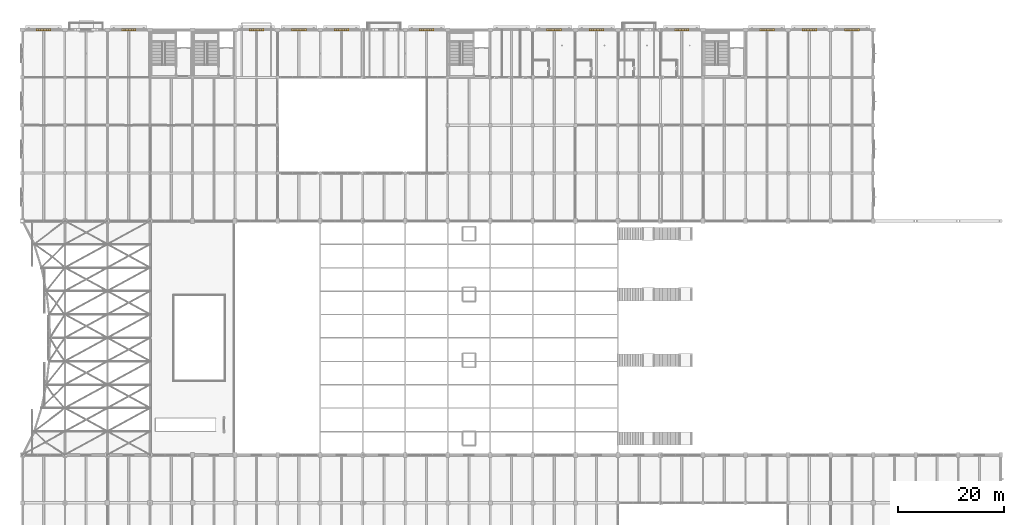
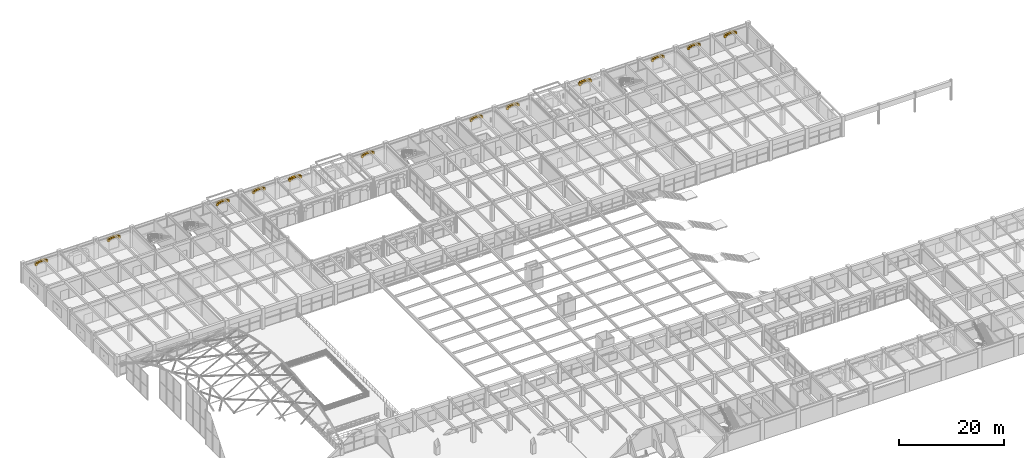
# One storey, part 144 of 144: 72 coverings.
"""IFC4 building model written with IfcOpenShell, lengths in metres."""

from ifc_helpers import new_model, si_unit, direction, frame, origin, origin_2d, place, context, subcontext, project, spatial, rectangle, extrude, material, layer, layer_set, type_object, element, save


model = new_model("IFC4")

# Units and contexts
model_context = context("Model", 3, precision=1e-05, world=origin(), true_north=direction((0.0, 1.0)))
body_context = subcontext(model_context, "Body", "Model", "MODEL_VIEW")
ifc_project = project(units=[si_unit("LENGTHUNIT", "METRE"), si_unit("AREAUNIT", "SQUARE_METRE"), si_unit("VOLUMEUNIT", "CUBIC_METRE"), si_unit("PLANEANGLEUNIT", "RADIAN"), si_unit("MASSUNIT", "GRAM", prefix="KILO")], contexts=[model_context])

# Site, building, storey
site_placement = place(None, origin())
site = spatial("IfcSite", under=ifc_project, at=site_placement, CompositionType="ELEMENT")
building_placement = place(site_placement, origin())
building = spatial("IfcBuilding", under=site, at=building_placement, Name="Varnabhumi Central Station", CompositionType="ELEMENT")
storey_placement = place(building_placement, frame((0.0, 0.0, 4.800048828125)))
storey = spatial("IfcBuildingStorey", under=building, at=storey_placement, Name="L01", CompositionType="ELEMENT", Elevation=4.800048828125)

# Coverings
ifc_material = material(Name="Terracotta clay Mission barrel tile", Category="masonry")
ifc_layer = layer(ifc_material, 0.02001953125, Name="Terracotta clay Mission barrel tile", Category="masonry")
ifc_layer_set = layer_set([ifc_layer], Name="Terracotta clay Mission barrel tile")
covering_type = type_object("IfcCoveringType", Name="COV-WALL-FAIENCE", PredefinedType="CLADDING", material=ifc_layer_set)
covering_1_placement = place(storey_placement, frame((2.83349609375, 116.0, 2.9599609375), z_axis=(0.0, 0.0, 1.0), x_axis=(1.0, 0.0, 0.0)))
element("IfcCovering", 1, at=covering_1_placement, inside=storey, type_object=covering_type, Name="North Window Arch L01-1 Stone Voussoir 1", PredefinedType="CLADDING", context=body_context, shape_type="SweptSolid", body=[
    extrude(rectangle(XDim=0.469970703125, YDim=0.47998046875, at=origin_2d()), origin(), (0.0, 0.0, 1.0), 0.554931640625),
])
covering_2_placement = place(storey_placement, frame((3.14599609375, 116.0, 3.23486328125), z_axis=(0.0, 0.0, 1.0), x_axis=(1.0, 0.0, 0.0)))
element("IfcCovering", 2, at=covering_2_placement, inside=storey, type_object=covering_type, Name="North Window Arch L01-1 Stone Voussoir 2", PredefinedType="CLADDING", context=body_context, shape_type="SweptSolid", body=[
    extrude(rectangle(XDim=0.577880859375, YDim=0.47998046875, at=origin_2d()), origin(), (0.0, 0.0, 1.0), 0.48095703125),
])
for number, where, z_axis, x_axis, name in (
    (3, (3.6875, 116.0, 3.423095703125), (0.0, 0.0, 1.0), (1.0, 0.0, 0.0), "North Window Arch L01-1 Stone Voussoir 3"),
    (4, (4.3125, 116.0, 3.423095703125), (0.0, 0.0, 1.0), (1.0, 0.0, 0.0), "North Window Arch L01-1 Stone Voussoir 4"),
):
    element("IfcCovering", number, at=place(storey_placement, frame(where, z_axis=z_axis, x_axis=x_axis)), inside=storey, type_object=covering_type, Name=name, PredefinedType="CLADDING", context=body_context, shape_type="SweptSolid", body=[
        extrude(rectangle(XDim=0.7451171875, YDim=0.47998046875, at=origin_2d()), origin(), (0.0, 0.0, 1.0), 0.3798828125),
    ])
covering_3_placement = place(storey_placement, frame((4.85400390625, 116.0, 3.23486328125), z_axis=(0.0, 0.0, 1.0), x_axis=(1.0, 0.0, 0.0)))
element("IfcCovering", 5, at=covering_3_placement, inside=storey, type_object=covering_type, Name="North Window Arch L01-1 Stone Voussoir 5", PredefinedType="CLADDING", context=body_context, shape_type="SweptSolid", body=[
    extrude(rectangle(XDim=0.577880859375, YDim=0.47998046875, at=origin_2d()), origin(), (0.0, 0.0, 1.0), 0.48095703125),
])
for number, where, z_axis, x_axis, name in (
    (6, (5.16650390625, 116.0, 2.9599609375), (0.0, 0.0, 1.0), (1.0, 0.0, 0.0), "North Window Arch L01-1 Stone Voussoir 6"),
    (7, (18.83349609375, 116.0, 2.9599609375), (0.0, 0.0, 1.0), (1.0, 0.0, 0.0), "North Window Arch L01-3 Stone Voussoir 1"),
):
    element("IfcCovering", number, at=place(storey_placement, frame(where, z_axis=z_axis, x_axis=x_axis)), inside=storey, type_object=covering_type, Name=name, PredefinedType="CLADDING", context=body_context, shape_type="SweptSolid", body=[
        extrude(rectangle(XDim=0.469970703125, YDim=0.47998046875, at=origin_2d()), origin(), (0.0, 0.0, 1.0), 0.554931640625),
    ])
covering_4_placement = place(storey_placement, frame((19.14599609375, 116.0, 3.23486328125), z_axis=(0.0, 0.0, 1.0), x_axis=(1.0, 0.0, 0.0)))
element("IfcCovering", 8, at=covering_4_placement, inside=storey, type_object=covering_type, Name="North Window Arch L01-3 Stone Voussoir 2", PredefinedType="CLADDING", context=body_context, shape_type="SweptSolid", body=[
    extrude(rectangle(XDim=0.577880859375, YDim=0.47998046875, at=origin_2d()), origin(), (0.0, 0.0, 1.0), 0.48095703125),
])
for number, where, z_axis, x_axis, name in (
    (9, (19.6875, 116.0, 3.423095703125), (0.0, 0.0, 1.0), (1.0, 0.0, 0.0), "North Window Arch L01-3 Stone Voussoir 3"),
    (10, (20.3125, 116.0, 3.423095703125), (0.0, 0.0, 1.0), (1.0, 0.0, 0.0), "North Window Arch L01-3 Stone Voussoir 4"),
):
    element("IfcCovering", number, at=place(storey_placement, frame(where, z_axis=z_axis, x_axis=x_axis)), inside=storey, type_object=covering_type, Name=name, PredefinedType="CLADDING", context=body_context, shape_type="SweptSolid", body=[
        extrude(rectangle(XDim=0.7451171875, YDim=0.47998046875, at=origin_2d()), origin(), (0.0, 0.0, 1.0), 0.3798828125),
    ])
covering_5_placement = place(storey_placement, frame((20.85400390625, 116.0, 3.23486328125), z_axis=(0.0, 0.0, 1.0), x_axis=(1.0, 0.0, 0.0)))
element("IfcCovering", 11, at=covering_5_placement, inside=storey, type_object=covering_type, Name="North Window Arch L01-3 Stone Voussoir 5", PredefinedType="CLADDING", context=body_context, shape_type="SweptSolid", body=[
    extrude(rectangle(XDim=0.577880859375, YDim=0.47998046875, at=origin_2d()), origin(), (0.0, 0.0, 1.0), 0.48095703125),
])
for number, where, z_axis, x_axis, name in (
    (12, (21.16650390625, 116.0, 2.9599609375), (0.0, 0.0, 1.0), (1.0, 0.0, 0.0), "North Window Arch L01-3 Stone Voussoir 6"),
    (13, (42.83349609375, 116.0, 2.9599609375), (0.0, 0.0, 1.0), (1.0, 0.0, 0.0), "North Window Arch L01-6 Stone Voussoir 1"),
):
    element("IfcCovering", number, at=place(storey_placement, frame(where, z_axis=z_axis, x_axis=x_axis)), inside=storey, type_object=covering_type, Name=name, PredefinedType="CLADDING", context=body_context, shape_type="SweptSolid", body=[
        extrude(rectangle(XDim=0.469970703125, YDim=0.47998046875, at=origin_2d()), origin(), (0.0, 0.0, 1.0), 0.554931640625),
    ])
covering_6_placement = place(storey_placement, frame((43.14599609375, 116.0, 3.23486328125), z_axis=(0.0, 0.0, 1.0), x_axis=(1.0, 0.0, 0.0)))
element("IfcCovering", 14, at=covering_6_placement, inside=storey, type_object=covering_type, Name="North Window Arch L01-6 Stone Voussoir 2", PredefinedType="CLADDING", context=body_context, shape_type="SweptSolid", body=[
    extrude(rectangle(XDim=0.577880859375, YDim=0.47998046875, at=origin_2d()), origin(), (0.0, 0.0, 1.0), 0.48095703125),
])
for number, where, z_axis, x_axis, name in (
    (15, (43.6875, 116.0, 3.423095703125), (0.0, 0.0, 1.0), (1.0, 0.0, 0.0), "North Window Arch L01-6 Stone Voussoir 3"),
    (16, (44.3125, 116.0, 3.423095703125), (0.0, 0.0, 1.0), (1.0, 0.0, 0.0), "North Window Arch L01-6 Stone Voussoir 4"),
):
    element("IfcCovering", number, at=place(storey_placement, frame(where, z_axis=z_axis, x_axis=x_axis)), inside=storey, type_object=covering_type, Name=name, PredefinedType="CLADDING", context=body_context, shape_type="SweptSolid", body=[
        extrude(rectangle(XDim=0.7451171875, YDim=0.47998046875, at=origin_2d()), origin(), (0.0, 0.0, 1.0), 0.3798828125),
    ])
covering_7_placement = place(storey_placement, frame((44.85400390625, 116.0, 3.23486328125), z_axis=(0.0, 0.0, 1.0), x_axis=(1.0, 0.0, 0.0)))
element("IfcCovering", 17, at=covering_7_placement, inside=storey, type_object=covering_type, Name="North Window Arch L01-6 Stone Voussoir 5", PredefinedType="CLADDING", context=body_context, shape_type="SweptSolid", body=[
    extrude(rectangle(XDim=0.577880859375, YDim=0.47998046875, at=origin_2d()), origin(), (0.0, 0.0, 1.0), 0.48095703125),
])
for number, where, z_axis, x_axis, name in (
    (18, (45.16650390625, 116.0, 2.9599609375), (0.0, 0.0, 1.0), (1.0, 0.0, 0.0), "North Window Arch L01-6 Stone Voussoir 6"),
    (19, (50.83349609375, 116.0, 2.9599609375), (0.0, 0.0, 1.0), (1.0, 0.0, 0.0), "North Window Arch L01-7 Stone Voussoir 1"),
):
    element("IfcCovering", number, at=place(storey_placement, frame(where, z_axis=z_axis, x_axis=x_axis)), inside=storey, type_object=covering_type, Name=name, PredefinedType="CLADDING", context=body_context, shape_type="SweptSolid", body=[
        extrude(rectangle(XDim=0.469970703125, YDim=0.47998046875, at=origin_2d()), origin(), (0.0, 0.0, 1.0), 0.554931640625),
    ])
covering_8_placement = place(storey_placement, frame((51.14599609375, 116.0, 3.23486328125), z_axis=(0.0, 0.0, 1.0), x_axis=(1.0, 0.0, 0.0)))
element("IfcCovering", 20, at=covering_8_placement, inside=storey, type_object=covering_type, Name="North Window Arch L01-7 Stone Voussoir 2", PredefinedType="CLADDING", context=body_context, shape_type="SweptSolid", body=[
    extrude(rectangle(XDim=0.577880859375, YDim=0.47998046875, at=origin_2d()), origin(), (0.0, 0.0, 1.0), 0.48095703125),
])
for number, where, z_axis, x_axis, name in (
    (21, (51.6875, 116.0, 3.423095703125), (0.0, 0.0, 1.0), (1.0, 0.0, 0.0), "North Window Arch L01-7 Stone Voussoir 3"),
    (22, (52.3125, 116.0, 3.423095703125), (0.0, 0.0, 1.0), (1.0, 0.0, 0.0), "North Window Arch L01-7 Stone Voussoir 4"),
):
    element("IfcCovering", number, at=place(storey_placement, frame(where, z_axis=z_axis, x_axis=x_axis)), inside=storey, type_object=covering_type, Name=name, PredefinedType="CLADDING", context=body_context, shape_type="SweptSolid", body=[
        extrude(rectangle(XDim=0.7451171875, YDim=0.47998046875, at=origin_2d()), origin(), (0.0, 0.0, 1.0), 0.3798828125),
    ])
covering_9_placement = place(storey_placement, frame((52.85400390625, 116.0, 3.23486328125), z_axis=(0.0, 0.0, 1.0), x_axis=(1.0, 0.0, 0.0)))
element("IfcCovering", 23, at=covering_9_placement, inside=storey, type_object=covering_type, Name="North Window Arch L01-7 Stone Voussoir 5", PredefinedType="CLADDING", context=body_context, shape_type="SweptSolid", body=[
    extrude(rectangle(XDim=0.577880859375, YDim=0.47998046875, at=origin_2d()), origin(), (0.0, 0.0, 1.0), 0.48095703125),
])
for number, where, z_axis, x_axis, name in (
    (24, (53.16650390625, 116.0, 2.9599609375), (0.0, 0.0, 1.0), (1.0, 0.0, 0.0), "North Window Arch L01-7 Stone Voussoir 6"),
    (25, (58.83349609375, 116.0, 2.9599609375), (0.0, 0.0, 1.0), (1.0, 0.0, 0.0), "North Window Arch L01-8 Stone Voussoir 1"),
):
    element("IfcCovering", number, at=place(storey_placement, frame(where, z_axis=z_axis, x_axis=x_axis)), inside=storey, type_object=covering_type, Name=name, PredefinedType="CLADDING", context=body_context, shape_type="SweptSolid", body=[
        extrude(rectangle(XDim=0.469970703125, YDim=0.47998046875, at=origin_2d()), origin(), (0.0, 0.0, 1.0), 0.554931640625),
    ])
covering_10_placement = place(storey_placement, frame((59.14599609375, 116.0, 3.23486328125), z_axis=(0.0, 0.0, 1.0), x_axis=(1.0, 0.0, 0.0)))
element("IfcCovering", 26, at=covering_10_placement, inside=storey, type_object=covering_type, Name="North Window Arch L01-8 Stone Voussoir 2", PredefinedType="CLADDING", context=body_context, shape_type="SweptSolid", body=[
    extrude(rectangle(XDim=0.577880859375, YDim=0.47998046875, at=origin_2d()), origin(), (0.0, 0.0, 1.0), 0.48095703125),
])
for number, where, z_axis, x_axis, name in (
    (27, (59.6875, 116.0, 3.423095703125), (0.0, 0.0, 1.0), (1.0, 0.0, 0.0), "North Window Arch L01-8 Stone Voussoir 3"),
    (28, (60.3125, 116.0, 3.423095703125), (0.0, 0.0, 1.0), (1.0, 0.0, 0.0), "North Window Arch L01-8 Stone Voussoir 4"),
):
    element("IfcCovering", number, at=place(storey_placement, frame(where, z_axis=z_axis, x_axis=x_axis)), inside=storey, type_object=covering_type, Name=name, PredefinedType="CLADDING", context=body_context, shape_type="SweptSolid", body=[
        extrude(rectangle(XDim=0.7451171875, YDim=0.47998046875, at=origin_2d()), origin(), (0.0, 0.0, 1.0), 0.3798828125),
    ])
covering_11_placement = place(storey_placement, frame((60.85400390625, 116.0, 3.23486328125), z_axis=(0.0, 0.0, 1.0), x_axis=(1.0, 0.0, 0.0)))
element("IfcCovering", 29, at=covering_11_placement, inside=storey, type_object=covering_type, Name="North Window Arch L01-8 Stone Voussoir 5", PredefinedType="CLADDING", context=body_context, shape_type="SweptSolid", body=[
    extrude(rectangle(XDim=0.577880859375, YDim=0.47998046875, at=origin_2d()), origin(), (0.0, 0.0, 1.0), 0.48095703125),
])
for number, where, z_axis, x_axis, name in (
    (30, (61.16650390625, 116.0, 2.9599609375), (0.0, 0.0, 1.0), (1.0, 0.0, 0.0), "North Window Arch L01-8 Stone Voussoir 6"),
    (31, (74.83349609375, 116.0, 2.9599609375), (0.0, 0.0, 1.0), (1.0, 0.0, 0.0), "North Window Arch L01-10 Stone Voussoir 1"),
):
    element("IfcCovering", number, at=place(storey_placement, frame(where, z_axis=z_axis, x_axis=x_axis)), inside=storey, type_object=covering_type, Name=name, PredefinedType="CLADDING", context=body_context, shape_type="SweptSolid", body=[
        extrude(rectangle(XDim=0.469970703125, YDim=0.47998046875, at=origin_2d()), origin(), (0.0, 0.0, 1.0), 0.554931640625),
    ])
covering_12_placement = place(storey_placement, frame((75.14599609375, 116.0, 3.23486328125), z_axis=(0.0, 0.0, 1.0), x_axis=(1.0, 0.0, 0.0)))
element("IfcCovering", 32, at=covering_12_placement, inside=storey, type_object=covering_type, Name="North Window Arch L01-10 Stone Voussoir 2", PredefinedType="CLADDING", context=body_context, shape_type="SweptSolid", body=[
    extrude(rectangle(XDim=0.577880859375, YDim=0.47998046875, at=origin_2d()), origin(), (0.0, 0.0, 1.0), 0.48095703125),
])
for number, where, z_axis, x_axis, name in (
    (33, (75.6875, 116.0, 3.423095703125), (0.0, 0.0, 1.0), (1.0, 0.0, 0.0), "North Window Arch L01-10 Stone Voussoir 3"),
    (34, (76.3125, 116.0, 3.423095703125), (0.0, 0.0, 1.0), (1.0, 0.0, 0.0), "North Window Arch L01-10 Stone Voussoir 4"),
):
    element("IfcCovering", number, at=place(storey_placement, frame(where, z_axis=z_axis, x_axis=x_axis)), inside=storey, type_object=covering_type, Name=name, PredefinedType="CLADDING", context=body_context, shape_type="SweptSolid", body=[
        extrude(rectangle(XDim=0.7451171875, YDim=0.47998046875, at=origin_2d()), origin(), (0.0, 0.0, 1.0), 0.3798828125),
    ])
covering_13_placement = place(storey_placement, frame((76.85400390625, 116.0, 3.23486328125), z_axis=(0.0, 0.0, 1.0), x_axis=(1.0, 0.0, 0.0)))
element("IfcCovering", 35, at=covering_13_placement, inside=storey, type_object=covering_type, Name="North Window Arch L01-10 Stone Voussoir 5", PredefinedType="CLADDING", context=body_context, shape_type="SweptSolid", body=[
    extrude(rectangle(XDim=0.577880859375, YDim=0.47998046875, at=origin_2d()), origin(), (0.0, 0.0, 1.0), 0.48095703125),
])
for number, where, z_axis, x_axis, name in (
    (36, (77.16650390625, 116.0, 2.9599609375), (0.0, 0.0, 1.0), (1.0, 0.0, 0.0), "North Window Arch L01-10 Stone Voussoir 6"),
    (37, (98.83349609375, 116.0, 2.9599609375), (0.0, 0.0, 1.0), (1.0, 0.0, 0.0), "North Window Arch L01-13 Stone Voussoir 1"),
):
    element("IfcCovering", number, at=place(storey_placement, frame(where, z_axis=z_axis, x_axis=x_axis)), inside=storey, type_object=covering_type, Name=name, PredefinedType="CLADDING", context=body_context, shape_type="SweptSolid", body=[
        extrude(rectangle(XDim=0.469970703125, YDim=0.47998046875, at=origin_2d()), origin(), (0.0, 0.0, 1.0), 0.554931640625),
    ])
covering_14_placement = place(storey_placement, frame((99.14599609375, 116.0, 3.23486328125), z_axis=(0.0, 0.0, 1.0), x_axis=(1.0, 0.0, 0.0)))
element("IfcCovering", 38, at=covering_14_placement, inside=storey, type_object=covering_type, Name="North Window Arch L01-13 Stone Voussoir 2", PredefinedType="CLADDING", context=body_context, shape_type="SweptSolid", body=[
    extrude(rectangle(XDim=0.577880859375, YDim=0.47998046875, at=origin_2d()), origin(), (0.0, 0.0, 1.0), 0.48095703125),
])
for number, where, z_axis, x_axis, name in (
    (39, (99.6875, 116.0, 3.423095703125), (0.0, 0.0, 1.0), (1.0, 0.0, 0.0), "North Window Arch L01-13 Stone Voussoir 3"),
    (40, (100.3125, 116.0, 3.423095703125), (0.0, 0.0, 1.0), (1.0, 0.0, 0.0), "North Window Arch L01-13 Stone Voussoir 4"),
):
    element("IfcCovering", number, at=place(storey_placement, frame(where, z_axis=z_axis, x_axis=x_axis)), inside=storey, type_object=covering_type, Name=name, PredefinedType="CLADDING", context=body_context, shape_type="SweptSolid", body=[
        extrude(rectangle(XDim=0.7451171875, YDim=0.47998046875, at=origin_2d()), origin(), (0.0, 0.0, 1.0), 0.3798828125),
    ])
covering_15_placement = place(storey_placement, frame((100.85400390625, 116.0, 3.23486328125), z_axis=(0.0, 0.0, 1.0), x_axis=(1.0, 0.0, 0.0)))
element("IfcCovering", 41, at=covering_15_placement, inside=storey, type_object=covering_type, Name="North Window Arch L01-13 Stone Voussoir 5", PredefinedType="CLADDING", context=body_context, shape_type="SweptSolid", body=[
    extrude(rectangle(XDim=0.577880859375, YDim=0.47998046875, at=origin_2d()), origin(), (0.0, 0.0, 1.0), 0.48095703125),
])
for number, where, z_axis, x_axis, name in (
    (42, (101.16650390625, 116.0, 2.9599609375), (0.0, 0.0, 1.0), (1.0, 0.0, 0.0), "North Window Arch L01-13 Stone Voussoir 6"),
    (43, (106.83349609375, 116.0, 2.9599609375), (0.0, 0.0, 1.0), (1.0, 0.0, 0.0), "North Window Arch L01-14 Stone Voussoir 1"),
):
    element("IfcCovering", number, at=place(storey_placement, frame(where, z_axis=z_axis, x_axis=x_axis)), inside=storey, type_object=covering_type, Name=name, PredefinedType="CLADDING", context=body_context, shape_type="SweptSolid", body=[
        extrude(rectangle(XDim=0.469970703125, YDim=0.47998046875, at=origin_2d()), origin(), (0.0, 0.0, 1.0), 0.554931640625),
    ])
covering_16_placement = place(storey_placement, frame((107.14599609375, 116.0, 3.23486328125), z_axis=(0.0, 0.0, 1.0), x_axis=(1.0, 0.0, 0.0)))
element("IfcCovering", 44, at=covering_16_placement, inside=storey, type_object=covering_type, Name="North Window Arch L01-14 Stone Voussoir 2", PredefinedType="CLADDING", context=body_context, shape_type="SweptSolid", body=[
    extrude(rectangle(XDim=0.577880859375, YDim=0.47998046875, at=origin_2d()), origin(), (0.0, 0.0, 1.0), 0.48095703125),
])
for number, where, z_axis, x_axis, name in (
    (45, (107.6875, 116.0, 3.423095703125), (0.0, 0.0, 1.0), (1.0, 0.0, 0.0), "North Window Arch L01-14 Stone Voussoir 3"),
    (46, (108.3125, 116.0, 3.423095703125), (0.0, 0.0, 1.0), (1.0, 0.0, 0.0), "North Window Arch L01-14 Stone Voussoir 4"),
):
    element("IfcCovering", number, at=place(storey_placement, frame(where, z_axis=z_axis, x_axis=x_axis)), inside=storey, type_object=covering_type, Name=name, PredefinedType="CLADDING", context=body_context, shape_type="SweptSolid", body=[
        extrude(rectangle(XDim=0.7451171875, YDim=0.47998046875, at=origin_2d()), origin(), (0.0, 0.0, 1.0), 0.3798828125),
    ])
covering_17_placement = place(storey_placement, frame((108.85400390625, 116.0, 3.23486328125), z_axis=(0.0, 0.0, 1.0), x_axis=(1.0, 0.0, 0.0)))
element("IfcCovering", 47, at=covering_17_placement, inside=storey, type_object=covering_type, Name="North Window Arch L01-14 Stone Voussoir 5", PredefinedType="CLADDING", context=body_context, shape_type="SweptSolid", body=[
    extrude(rectangle(XDim=0.577880859375, YDim=0.47998046875, at=origin_2d()), origin(), (0.0, 0.0, 1.0), 0.48095703125),
])
for number, where, z_axis, x_axis, name in (
    (48, (109.16650390625, 116.0, 2.9599609375), (0.0, 0.0, 1.0), (1.0, 0.0, 0.0), "North Window Arch L01-14 Stone Voussoir 6"),
    (49, (122.83349609375, 116.0, 2.9599609375), (0.0, 0.0, 1.0), (1.0, 0.0, 0.0), "North Window Arch L01-16 Stone Voussoir 1"),
):
    element("IfcCovering", number, at=place(storey_placement, frame(where, z_axis=z_axis, x_axis=x_axis)), inside=storey, type_object=covering_type, Name=name, PredefinedType="CLADDING", context=body_context, shape_type="SweptSolid", body=[
        extrude(rectangle(XDim=0.469970703125, YDim=0.47998046875, at=origin_2d()), origin(), (0.0, 0.0, 1.0), 0.554931640625),
    ])
covering_18_placement = place(storey_placement, frame((123.14599609375, 116.0, 3.23486328125), z_axis=(0.0, 0.0, 1.0), x_axis=(1.0, 0.0, 0.0)))
element("IfcCovering", 50, at=covering_18_placement, inside=storey, type_object=covering_type, Name="North Window Arch L01-16 Stone Voussoir 2", PredefinedType="CLADDING", context=body_context, shape_type="SweptSolid", body=[
    extrude(rectangle(XDim=0.577880859375, YDim=0.47998046875, at=origin_2d()), origin(), (0.0, 0.0, 1.0), 0.48095703125),
])
for number, where, z_axis, x_axis, name in (
    (51, (123.6875, 116.0, 3.423095703125), (0.0, 0.0, 1.0), (1.0, 0.0, 0.0), "North Window Arch L01-16 Stone Voussoir 3"),
    (52, (124.3125, 116.0, 3.423095703125), (0.0, 0.0, 1.0), (1.0, 0.0, 0.0), "North Window Arch L01-16 Stone Voussoir 4"),
):
    element("IfcCovering", number, at=place(storey_placement, frame(where, z_axis=z_axis, x_axis=x_axis)), inside=storey, type_object=covering_type, Name=name, PredefinedType="CLADDING", context=body_context, shape_type="SweptSolid", body=[
        extrude(rectangle(XDim=0.7451171875, YDim=0.47998046875, at=origin_2d()), origin(), (0.0, 0.0, 1.0), 0.3798828125),
    ])
covering_19_placement = place(storey_placement, frame((124.85400390625, 116.0, 3.23486328125), z_axis=(0.0, 0.0, 1.0), x_axis=(1.0, 0.0, 0.0)))
element("IfcCovering", 53, at=covering_19_placement, inside=storey, type_object=covering_type, Name="North Window Arch L01-16 Stone Voussoir 5", PredefinedType="CLADDING", context=body_context, shape_type="SweptSolid", body=[
    extrude(rectangle(XDim=0.577880859375, YDim=0.47998046875, at=origin_2d()), origin(), (0.0, 0.0, 1.0), 0.48095703125),
])
for number, where, z_axis, x_axis, name in (
    (54, (125.16650390625, 116.0, 2.9599609375), (0.0, 0.0, 1.0), (1.0, 0.0, 0.0), "North Window Arch L01-16 Stone Voussoir 6"),
    (55, (138.83349609375, 116.0, 2.9599609375), (0.0, 0.0, 1.0), (1.0, 0.0, 0.0), "North Window Arch L01-18 Stone Voussoir 1"),
):
    element("IfcCovering", number, at=place(storey_placement, frame(where, z_axis=z_axis, x_axis=x_axis)), inside=storey, type_object=covering_type, Name=name, PredefinedType="CLADDING", context=body_context, shape_type="SweptSolid", body=[
        extrude(rectangle(XDim=0.469970703125, YDim=0.47998046875, at=origin_2d()), origin(), (0.0, 0.0, 1.0), 0.554931640625),
    ])
covering_20_placement = place(storey_placement, frame((139.14599609375, 116.0, 3.23486328125), z_axis=(0.0, 0.0, 1.0), x_axis=(1.0, 0.0, 0.0)))
element("IfcCovering", 56, at=covering_20_placement, inside=storey, type_object=covering_type, Name="North Window Arch L01-18 Stone Voussoir 2", PredefinedType="CLADDING", context=body_context, shape_type="SweptSolid", body=[
    extrude(rectangle(XDim=0.577880859375, YDim=0.47998046875, at=origin_2d()), origin(), (0.0, 0.0, 1.0), 0.48095703125),
])
for number, where, z_axis, x_axis, name in (
    (57, (139.6875, 116.0, 3.423095703125), (0.0, 0.0, 1.0), (1.0, 0.0, 0.0), "North Window Arch L01-18 Stone Voussoir 3"),
    (58, (140.3125, 116.0, 3.423095703125), (0.0, 0.0, 1.0), (1.0, 0.0, 0.0), "North Window Arch L01-18 Stone Voussoir 4"),
):
    element("IfcCovering", number, at=place(storey_placement, frame(where, z_axis=z_axis, x_axis=x_axis)), inside=storey, type_object=covering_type, Name=name, PredefinedType="CLADDING", context=body_context, shape_type="SweptSolid", body=[
        extrude(rectangle(XDim=0.7451171875, YDim=0.47998046875, at=origin_2d()), origin(), (0.0, 0.0, 1.0), 0.3798828125),
    ])
covering_21_placement = place(storey_placement, frame((140.85400390625, 116.0, 3.23486328125), z_axis=(0.0, 0.0, 1.0), x_axis=(1.0, 0.0, 0.0)))
element("IfcCovering", 59, at=covering_21_placement, inside=storey, type_object=covering_type, Name="North Window Arch L01-18 Stone Voussoir 5", PredefinedType="CLADDING", context=body_context, shape_type="SweptSolid", body=[
    extrude(rectangle(XDim=0.577880859375, YDim=0.47998046875, at=origin_2d()), origin(), (0.0, 0.0, 1.0), 0.48095703125),
])
for number, where, z_axis, x_axis, name in (
    (60, (141.16650390625, 116.0, 2.9599609375), (0.0, 0.0, 1.0), (1.0, 0.0, 0.0), "North Window Arch L01-18 Stone Voussoir 6"),
    (61, (146.83349609375, 116.0, 2.9599609375), (0.0, 0.0, 1.0), (1.0, 0.0, 0.0), "North Window Arch L01-19 Stone Voussoir 1"),
):
    element("IfcCovering", number, at=place(storey_placement, frame(where, z_axis=z_axis, x_axis=x_axis)), inside=storey, type_object=covering_type, Name=name, PredefinedType="CLADDING", context=body_context, shape_type="SweptSolid", body=[
        extrude(rectangle(XDim=0.469970703125, YDim=0.47998046875, at=origin_2d()), origin(), (0.0, 0.0, 1.0), 0.554931640625),
    ])
covering_22_placement = place(storey_placement, frame((147.14599609375, 116.0, 3.23486328125), z_axis=(0.0, 0.0, 1.0), x_axis=(1.0, 0.0, 0.0)))
element("IfcCovering", 62, at=covering_22_placement, inside=storey, type_object=covering_type, Name="North Window Arch L01-19 Stone Voussoir 2", PredefinedType="CLADDING", context=body_context, shape_type="SweptSolid", body=[
    extrude(rectangle(XDim=0.577880859375, YDim=0.47998046875, at=origin_2d()), origin(), (0.0, 0.0, 1.0), 0.48095703125),
])
for number, where, z_axis, x_axis, name in (
    (63, (147.6875, 116.0, 3.423095703125), (0.0, 0.0, 1.0), (1.0, 0.0, 0.0), "North Window Arch L01-19 Stone Voussoir 3"),
    (64, (148.3125, 116.0, 3.423095703125), (0.0, 0.0, 1.0), (1.0, 0.0, 0.0), "North Window Arch L01-19 Stone Voussoir 4"),
):
    element("IfcCovering", number, at=place(storey_placement, frame(where, z_axis=z_axis, x_axis=x_axis)), inside=storey, type_object=covering_type, Name=name, PredefinedType="CLADDING", context=body_context, shape_type="SweptSolid", body=[
        extrude(rectangle(XDim=0.7451171875, YDim=0.47998046875, at=origin_2d()), origin(), (0.0, 0.0, 1.0), 0.3798828125),
    ])
covering_23_placement = place(storey_placement, frame((148.85400390625, 116.0, 3.23486328125), z_axis=(0.0, 0.0, 1.0), x_axis=(1.0, 0.0, 0.0)))
element("IfcCovering", 65, at=covering_23_placement, inside=storey, type_object=covering_type, Name="North Window Arch L01-19 Stone Voussoir 5", PredefinedType="CLADDING", context=body_context, shape_type="SweptSolid", body=[
    extrude(rectangle(XDim=0.577880859375, YDim=0.47998046875, at=origin_2d()), origin(), (0.0, 0.0, 1.0), 0.48095703125),
])
for number, where, z_axis, x_axis, name in (
    (66, (149.16650390625, 116.0, 2.9599609375), (0.0, 0.0, 1.0), (1.0, 0.0, 0.0), "North Window Arch L01-19 Stone Voussoir 6"),
    (67, (154.83349609375, 116.0, 2.9599609375), (0.0, 0.0, 1.0), (1.0, 0.0, 0.0), "North Window Arch L01-20 Stone Voussoir 1"),
):
    element("IfcCovering", number, at=place(storey_placement, frame(where, z_axis=z_axis, x_axis=x_axis)), inside=storey, type_object=covering_type, Name=name, PredefinedType="CLADDING", context=body_context, shape_type="SweptSolid", body=[
        extrude(rectangle(XDim=0.469970703125, YDim=0.47998046875, at=origin_2d()), origin(), (0.0, 0.0, 1.0), 0.554931640625),
    ])
covering_24_placement = place(storey_placement, frame((155.14599609375, 116.0, 3.23486328125), z_axis=(0.0, 0.0, 1.0), x_axis=(1.0, 0.0, 0.0)))
element("IfcCovering", 68, at=covering_24_placement, inside=storey, type_object=covering_type, Name="North Window Arch L01-20 Stone Voussoir 2", PredefinedType="CLADDING", context=body_context, shape_type="SweptSolid", body=[
    extrude(rectangle(XDim=0.577880859375, YDim=0.47998046875, at=origin_2d()), origin(), (0.0, 0.0, 1.0), 0.48095703125),
])
for number, where, z_axis, x_axis, name in (
    (69, (155.6875, 116.0, 3.423095703125), (0.0, 0.0, 1.0), (1.0, 0.0, 0.0), "North Window Arch L01-20 Stone Voussoir 3"),
    (70, (156.3125, 116.0, 3.423095703125), (0.0, 0.0, 1.0), (1.0, 0.0, 0.0), "North Window Arch L01-20 Stone Voussoir 4"),
):
    element("IfcCovering", number, at=place(storey_placement, frame(where, z_axis=z_axis, x_axis=x_axis)), inside=storey, type_object=covering_type, Name=name, PredefinedType="CLADDING", context=body_context, shape_type="SweptSolid", body=[
        extrude(rectangle(XDim=0.7451171875, YDim=0.47998046875, at=origin_2d()), origin(), (0.0, 0.0, 1.0), 0.3798828125),
    ])
covering_25_placement = place(storey_placement, frame((156.85400390625, 116.0, 3.23486328125), z_axis=(0.0, 0.0, 1.0), x_axis=(1.0, 0.0, 0.0)))
element("IfcCovering", 71, at=covering_25_placement, inside=storey, type_object=covering_type, Name="North Window Arch L01-20 Stone Voussoir 5", PredefinedType="CLADDING", context=body_context, shape_type="SweptSolid", body=[
    extrude(rectangle(XDim=0.577880859375, YDim=0.47998046875, at=origin_2d()), origin(), (0.0, 0.0, 1.0), 0.48095703125),
])
covering_26_placement = place(storey_placement, frame((157.16650390625, 116.0, 2.9599609375), z_axis=(0.0, 0.0, 1.0), x_axis=(1.0, 0.0, 0.0)))
element("IfcCovering", 72, at=covering_26_placement, inside=storey, type_object=covering_type, Name="North Window Arch L01-20 Stone Voussoir 6", PredefinedType="CLADDING", context=body_context, shape_type="SweptSolid", body=[
    extrude(rectangle(XDim=0.469970703125, YDim=0.47998046875, at=origin_2d()), origin(), (0.0, 0.0, 1.0), 0.554931640625),
])

save(model, "model.ifc")
